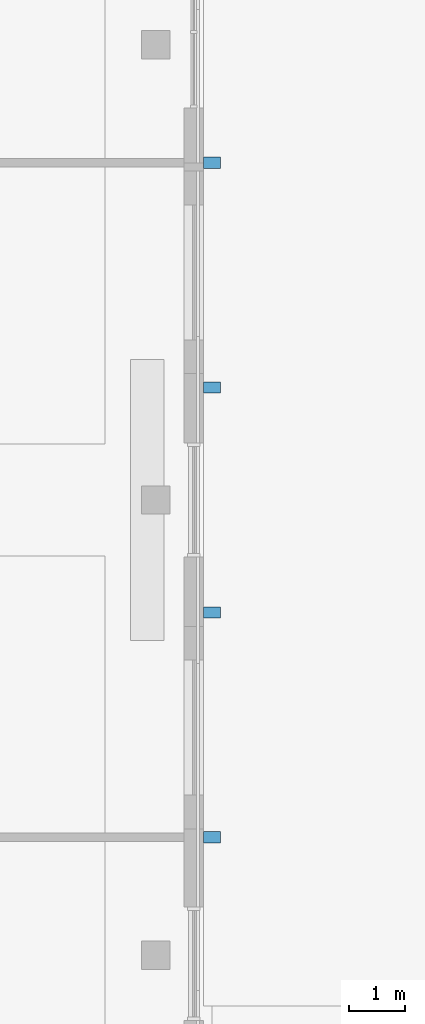
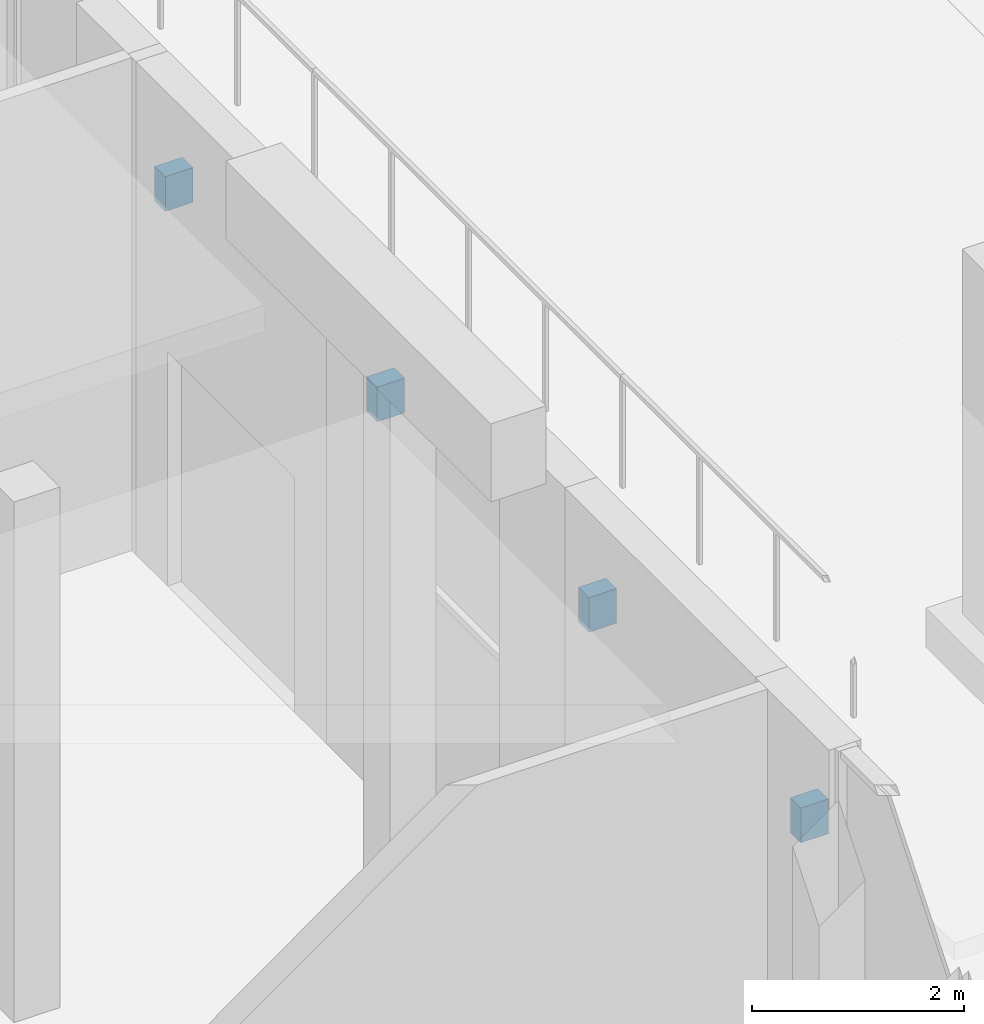
# One storey, part 26 of 32: 4 discrete accessories.
"""IFC4 building model written with IfcOpenShell, lengths in metres."""

from ifc_helpers import new_model, si_unit, direction, frame, origin, origin_2d, place, context, subcontext, project, spatial, rectangle, extrude, element, save


model = new_model("IFC4")

# Units and contexts
model_context = context("Model", 3, precision=1e-05, world=origin(), true_north=direction((0.0, 1.0)))
body_context = subcontext(model_context, "Body", "Model", "MODEL_VIEW")
ifc_project = project(units=[si_unit("LENGTHUNIT", "METRE"), si_unit("AREAUNIT", "SQUARE_METRE"), si_unit("VOLUMEUNIT", "CUBIC_METRE"), si_unit("PLANEANGLEUNIT", "RADIAN"), si_unit("MASSUNIT", "GRAM", prefix="KILO")], contexts=[model_context])

# Site, building, storey
site_placement = place(None, origin())
site = spatial("IfcSite", under=ifc_project, at=site_placement, CompositionType="ELEMENT")
building_placement = place(site_placement, origin())
building = spatial("IfcBuilding", under=site, at=building_placement, Name="Torre Triforio", CompositionType="ELEMENT")
storey_placement = place(building_placement, origin())
storey = spatial("IfcBuildingStorey", under=building, at=storey_placement, Name="L00", CompositionType="ELEMENT", Elevation=0.0)

# Discrete accessories
for number, where, z_axis, x_axis, name in (
    (1, (78.0, -6.0, 3.800048828125), (0.0, 0.0, 1.0), (1.0, 0.0, 0.0), "Canopy bracket 1"),
    (2, (78.0, -2.0, 3.800048828125), (0.0, 0.0, 1.0), (1.0, 0.0, 0.0), "Canopy bracket 2"),
    (3, (78.0, 2.0, 3.800048828125), (0.0, 0.0, 1.0), (1.0, 0.0, 0.0), "Canopy bracket 3"),
    (4, (78.0, 6.0, 3.800048828125), (0.0, 0.0, 1.0), (1.0, 0.0, 0.0), "Canopy bracket 4"),
):
    element("IfcDiscreteAccessory", number, at=place(storey_placement, frame(where, z_axis=z_axis, x_axis=x_axis)), inside=storey, Name=name, PredefinedType="BRACKET", context=body_context, shape_type="SweptSolid", body=[
        extrude(rectangle(XDim=0.300048828125, YDim=0.199951171875, at=origin_2d()), origin(), (0.0, 0.0, 1.0), 0.39990234375),
    ])

save(model, "model.ifc")
